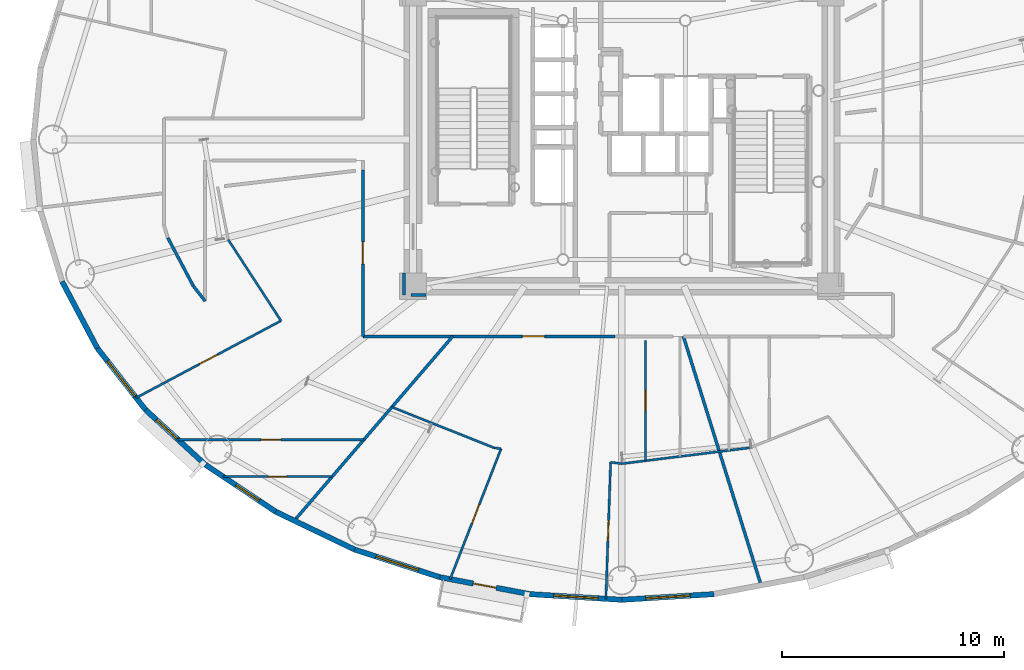
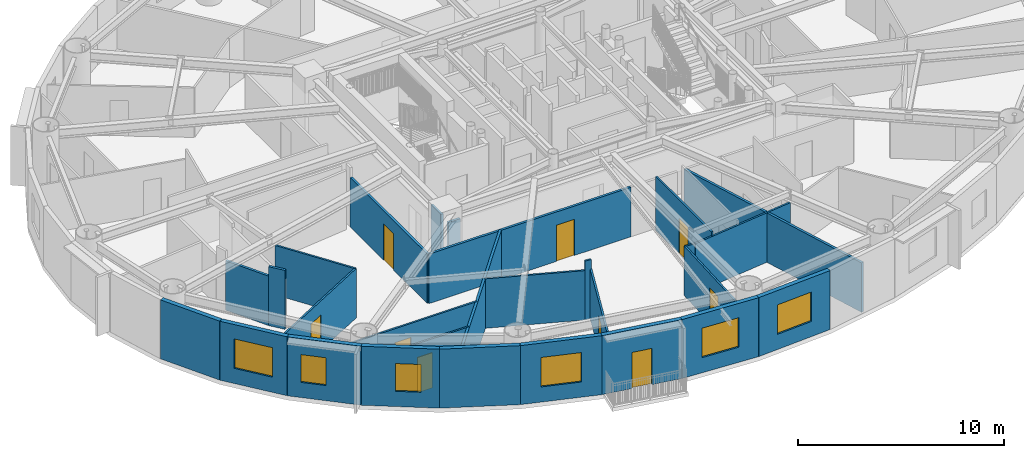
# One storey, part 8 of 19: 28 walls, 9 doors, 6 windows, 15 openings.
"""IFC4 building model written with IfcOpenShell, lengths in metres."""

from ifc_helpers import new_model, si_unit, direction, frame, frame_2d, origin, origin_2d, place, context, subcontext, project, spatial, rectangle, extrude, source, transform, mapped, material, layer, layer_set, type_object, element, fill, save


model = new_model("IFC4")

# Units and contexts
model_context = context("Model", 3, precision=1e-05, world=origin(), true_north=direction((0.0, 1.0)))
body_context = subcontext(model_context, "Body", "Model", "MODEL_VIEW")
ifc_project = project(units=[si_unit("LENGTHUNIT", "METRE"), si_unit("AREAUNIT", "SQUARE_METRE"), si_unit("VOLUMEUNIT", "CUBIC_METRE"), si_unit("PLANEANGLEUNIT", "RADIAN"), si_unit("MASSUNIT", "GRAM", prefix="KILO")], contexts=[model_context])

# Site, building, storey
site_placement = place(None, origin())
site = spatial("IfcSite", under=ifc_project, at=site_placement, CompositionType="ELEMENT")
building_placement = place(site_placement, origin())
building = spatial("IfcBuilding", under=site, at=building_placement, Name="Linh Dai School and Residence Tower", CompositionType="ELEMENT")
storey_placement = place(building_placement, frame((0.0, 0.0, 174.89990234375)))
storey = spatial("IfcBuildingStorey", under=building, at=storey_placement, Name="L42", CompositionType="ELEMENT", Elevation=174.89990234375)

# Wall
ifc_material_1 = material(Name="Precast Concrete B45 (C35/45)", Category="concrete")
ifc_layer_1 = layer(ifc_material_1, 0.239990234375)
ifc_layer_set_1 = layer_set([ifc_layer_1], Name="Precast Concrete B45 (C35/45)")
wall_type_1 = type_object("IfcWallType", Name="EW-TC-240", PredefinedType="SOLIDWALL", material=ifc_layer_set_1)
wall_1_placement = place(storey_placement, frame((12.404052734375, 17.611572265625, 0.0), z_axis=(0.0, 0.0, 1.0), x_axis=(-0.467586874938, 0.88394712194, 0.0)))
element("IfcWall", 1, at=wall_1_placement, inside=storey, type_object=wall_type_1, Name="L42 Terracotta Exterior Wall 23", PredefinedType="SOLIDWALL", context=body_context, shape_type="SweptSolid", body=[
    extrude(rectangle(XDim=3.393310546875, YDim=0.239990234375, at=frame_2d((1.69677734375, 0.0))), origin(), (0.0, 0.0, 1.0), 3.5),
])

# Wall, opening, window
wall_2_placement = place(storey_placement, frame((14.57177734375, 14.841552734375, 0.0), z_axis=(0.0, 0.0, 1.0), x_axis=(-0.616287674549, 0.787521112224, 0.0)))
wall_2 = element("IfcWall", 2, at=wall_2_placement, inside=storey, type_object=wall_type_1, Name="L42 Terracotta Exterior Wall 24", PredefinedType="SOLIDWALL", context=body_context, shape_type="SweptSolid", body=[
    extrude(rectangle(XDim=3.517333984375, YDim=0.239990234375, at=frame_2d((1.7587890625, 0.0))), origin(), (0.0, 0.0, 1.0), 3.5),
])
opening_1_placement = place(wall_2_placement, frame((0.77880859375, 0.0, 0.89990234375)))
opening_1 = element("IfcOpeningElement", 3, at=opening_1_placement, cuts=wall_2, Name="Opening W1", PredefinedType="OPENING", context=body_context, shape_type="SweptSolid", body=[
    extrude(rectangle(XDim=2.0, YDim=1.75, at=origin_2d()), frame((1.0, 0.1298828125, 0.875), z_axis=(0.0, -1.0, 0.0), x_axis=(1.0, 0.0, 0.0)), (0.0, 0.0, 1.0), 0.260009765625),
])
ifc_material_2 = material(Name="Double Low-E Insulated Glazing", Category="glass")
window_type_1 = type_object("IfcWindowType", Name="WN-RES-2000x1750", PartitioningType="DOUBLE_PANEL_VERTICAL", PredefinedType="WINDOW", material=ifc_material_2)
shared_shape_1 = source(origin(), body_context, "Body", "SweptSolid", [
    extrude(rectangle(XDim=2.0, YDim=1.75, at=origin_2d()), frame((1.0, 0.030029296875, 0.875), z_axis=(0.0, -1.0, 0.0), x_axis=(1.0, 0.0, 0.0)), (0.0, 0.0, 1.0), 0.06005859375),
])
window_1_placement = place(opening_1_placement, origin())
window_1 = element("IfcWindow", 4, at=window_1_placement, inside=storey, type_object=window_type_1, Name="L42 Exterior Window 24.1", OverallHeight=1.75, OverallWidth=2.0, PartitioningType="DOUBLE_PANEL_VERTICAL", PredefinedType="WINDOW", context=body_context, shape_type="MappedRepresentation", body=[
    mapped(shared_shape_1, transform((0.0, 0.0, 0.0), x_axis=(1.0, 0.0, 0.0), y_axis=(0.0, 1.0, 0.0), z_axis=(0.0, 0.0, 1.0), scale=1.0)),
])
fill(opening_1, window_1)

wall_3_placement = place(storey_placement, frame((17.26806640625, 12.369384765625, 0.0), z_axis=(0.0, 0.0, 1.0), x_axis=(-0.737076565834, 0.675809245349, 0.0)))
wall_3 = element("IfcWall", 5, at=wall_3_placement, inside=storey, type_object=wall_type_1, Name="L42 Terracotta Exterior Wall 25", PredefinedType="SOLIDWALL", context=body_context, shape_type="SweptSolid", body=[
    extrude(rectangle(XDim=3.658203125, YDim=0.239990234375, at=frame_2d((1.8291015625, 0.0))), origin(), (0.0, 0.0, 1.0), 3.5),
])
opening_2_placement = place(wall_3_placement, frame((1.74609375, 0.0, 0.89990234375)))
opening_2 = element("IfcOpeningElement", 6, at=opening_2_placement, cuts=wall_3, Name="Opening W3", PredefinedType="OPENING", context=body_context, shape_type="SweptSolid", body=[
    extrude(rectangle(XDim=1.25, YDim=1.64990234375, at=origin_2d()), frame((0.625, 0.1298828125, 0.824951171875), z_axis=(0.0, -1.0, 0.0), x_axis=(1.0, 0.0, 0.0)), (0.0, 0.0, 1.0), 0.260009765625),
])
window_type_2 = type_object("IfcWindowType", Name="WN-RES-1250x1650", PartitioningType="SINGLE_PANEL", PredefinedType="WINDOW", material=ifc_material_2)
shared_shape_2 = source(origin(), body_context, "Body", "SweptSolid", [
    extrude(rectangle(XDim=1.25, YDim=1.64990234375, at=origin_2d()), frame((0.625, 0.030029296875, 0.824951171875), z_axis=(0.0, -1.0, 0.0), x_axis=(1.0, 0.0, 0.0)), (0.0, 0.0, 1.0), 0.06005859375),
])
window_2_placement = place(opening_2_placement, origin())
window_2 = element("IfcWindow", 7, at=window_2_placement, inside=storey, type_object=window_type_2, Name="L42 Dwelling Window U4204-LIV", OverallHeight=1.64990234375, OverallWidth=1.25, PartitioningType="SINGLE_PANEL", PredefinedType="WINDOW", context=body_context, shape_type="MappedRepresentation", body=[
    mapped(shared_shape_2, transform((0.0, 0.0, 0.0), x_axis=(1.0, 0.0, 0.0), y_axis=(0.0, 1.0, 0.0), z_axis=(0.0, 0.0, 1.0), scale=1.0)),
])
fill(opening_2, window_2)

wall_4_placement = place(storey_placement, frame((20.4267578125, 10.2568359375, 0.0), z_axis=(0.0, 0.0, 1.0), x_axis=(-0.831228998277, 0.555930168657, 0.0)))
wall_4 = element("IfcWall", 8, at=wall_4_placement, inside=storey, type_object=wall_type_1, Name="L42 Terracotta Exterior Wall 26", PredefinedType="SOLIDWALL", context=body_context, shape_type="SweptSolid", body=[
    extrude(rectangle(XDim=3.800048828125, YDim=0.239990234375, at=frame_2d((1.89990234375, 0.0))), origin(), (0.0, 0.0, 1.0), 3.5),
])
opening_3_placement = place(wall_4_placement, frame((0.896240234375, 0.0, 0.89990234375)))
opening_3 = element("IfcOpeningElement", 9, at=opening_3_placement, cuts=wall_4, Name="Opening W3", PredefinedType="OPENING", context=body_context, shape_type="SweptSolid", body=[
    extrude(rectangle(XDim=1.25, YDim=1.64990234375, at=origin_2d()), frame((0.625, 0.1298828125, 0.824951171875), z_axis=(0.0, -1.0, 0.0), x_axis=(1.0, 0.0, 0.0)), (0.0, 0.0, 1.0), 0.260009765625),
])
window_3_placement = place(opening_3_placement, origin())
window_3 = element("IfcWindow", 10, at=window_3_placement, inside=storey, type_object=window_type_2, Name="L42 Exterior Window 26.1", OverallHeight=1.64990234375, OverallWidth=1.25, PartitioningType="SINGLE_PANEL", PredefinedType="WINDOW", context=body_context, shape_type="MappedRepresentation", body=[
    mapped(shared_shape_2, transform((0.0, 0.0, 0.0), x_axis=(1.0, 0.0, 0.0), y_axis=(0.0, 1.0, 0.0), z_axis=(0.0, 0.0, 1.0), scale=1.0)),
])
fill(opening_3, window_3)

# Wall
wall_5_placement = place(storey_placement, frame((23.97021484375, 8.556396484375, 0.0), z_axis=(0.0, 0.0, 1.0), x_axis=(-0.901564733809, 0.432644231155, 0.0)))
element("IfcWall", 11, at=wall_5_placement, inside=storey, type_object=wall_type_1, Name="L42 Terracotta Exterior Wall 27", PredefinedType="SOLIDWALL", context=body_context, shape_type="SweptSolid", body=[
    extrude(rectangle(XDim=3.930419921875, YDim=0.239990234375, at=frame_2d((1.96533203125, 0.0))), origin(), (0.0, 0.0, 1.0), 3.5),
])

# Wall, opening, window
wall_6_placement = place(storey_placement, frame((27.81103515625, 7.310546875, 0.0), z_axis=(0.0, 0.0, 1.0), x_axis=(-0.951209870236, 0.30854462038, 0.0)))
wall_6 = element("IfcWall", 12, at=wall_6_placement, inside=storey, type_object=wall_type_1, Name="L42 Terracotta Exterior Wall 28", PredefinedType="SOLIDWALL", context=body_context, shape_type="SweptSolid", body=[
    extrude(rectangle(XDim=4.037841796875, YDim=0.239990234375, at=frame_2d((2.01904296875, 0.0))), origin(), (0.0, 0.0, 1.0), 3.5),
])
opening_4_placement = place(wall_6_placement, frame((1.018798828125, 0.0, 0.89990234375)))
opening_4 = element("IfcOpeningElement", 13, at=opening_4_placement, cuts=wall_6, Name="Opening W1", PredefinedType="OPENING", context=body_context, shape_type="SweptSolid", body=[
    extrude(rectangle(XDim=2.0, YDim=1.75, at=origin_2d()), frame((1.0, 0.1298828125, 0.875), z_axis=(0.0, -1.0, 0.0), x_axis=(1.0, 0.0, 0.0)), (0.0, 0.0, 1.0), 0.260009765625),
])
window_4_placement = place(opening_4_placement, origin())
window_4 = element("IfcWindow", 14, at=window_4_placement, inside=storey, type_object=window_type_1, Name="L42 Exterior Window 28.1", OverallHeight=1.75, OverallWidth=2.0, PartitioningType="DOUBLE_PANEL_VERTICAL", PredefinedType="WINDOW", context=body_context, shape_type="MappedRepresentation", body=[
    mapped(shared_shape_1, transform((0.0, 0.0, 0.0), x_axis=(1.0, 0.0, 0.0), y_axis=(0.0, 1.0, 0.0), z_axis=(0.0, 0.0, 1.0), scale=1.0)),
])
fill(opening_4, window_4)

# Wall, opening, door
wall_7_placement = place(storey_placement, frame((31.854248046875, 6.550537109375, 0.0), z_axis=(0.0, 0.0, 1.0), x_axis=(-0.982788108205, 0.184736391573, 0.0)))
wall_7 = element("IfcWall", 15, at=wall_7_placement, inside=storey, type_object=wall_type_1, Name="L42 Terracotta Exterior Wall 29", PredefinedType="SOLIDWALL", context=body_context, shape_type="SweptSolid", body=[
    extrude(rectangle(XDim=4.114013671875, YDim=0.239990234375, at=frame_2d((2.05712890625, 0.0))), origin(), (0.0, 0.0, 1.0), 3.5),
])
opening_5_placement = place(wall_7_placement, frame((1.531982421875, 0.0, 0.0)))
opening_5 = element("IfcOpeningElement", 16, at=opening_5_placement, cuts=wall_7, Name="Opening BD1", PredefinedType="OPENING", context=body_context, shape_type="SweptSolid", body=[
    extrude(rectangle(XDim=1.050048828125, YDim=2.14990234375, at=origin_2d()), frame((0.52490234375, 0.1298828125, 1.074951171875), z_axis=(0.0, -1.0, 0.0), x_axis=(1.0, 0.0, 0.0)), (0.0, 0.0, 1.0), 0.260009765625),
])
ifc_material_3 = material(Name="Double-Glazed Balcony Door", Category="glass")
door_type_1 = type_object("IfcDoorType", Name="DR-BALC-1050x2150", OperationType="NOTDEFINED", PredefinedType="DOOR", material=ifc_material_3)
shared_shape_3 = source(origin(), body_context, "Body", "SweptSolid", [
    extrude(rectangle(XDim=1.050048828125, YDim=2.14990234375, at=origin_2d()), frame((0.52490234375, 0.02490234375, 1.074951171875), z_axis=(0.0, -1.0, 0.0), x_axis=(1.0, 0.0, 0.0)), (0.0, 0.0, 1.0), 0.050048828125),
])
door_1_placement = place(opening_5_placement, origin())
door_1 = element("IfcDoor", 17, at=door_1_placement, inside=storey, type_object=door_type_1, Name="L42 Glazed Balcony Door 29", OperationType="SINGLE_SWING_RIGHT", OverallHeight=2.14990234375, OverallWidth=1.050048828125, PredefinedType="DOOR", context=body_context, shape_type="MappedRepresentation", body=[
    mapped(shared_shape_3, transform((0.0, 0.0, 0.0), x_axis=(1.0, 0.0, 0.0), y_axis=(0.0, 1.0, 0.0), z_axis=(0.0, 0.0, 1.0), scale=1.0)),
])
fill(opening_5, door_1)

# Wall, opening, window
wall_8_placement = place(storey_placement, frame((36.0, 6.294921875, 0.0), z_axis=(0.0, 0.0, 1.0), x_axis=(-0.998104600619, 0.061540281305, 0.0)))
wall_8 = element("IfcWall", 18, at=wall_8_placement, inside=storey, type_object=wall_type_1, Name="L42 Terracotta Exterior Wall 30", PredefinedType="SOLIDWALL", context=body_context, shape_type="SweptSolid", body=[
    extrude(rectangle(XDim=4.153564453125, YDim=0.239990234375, at=frame_2d((2.07666015625, 0.0))), origin(), (0.0, 0.0, 1.0), 3.5),
])
opening_6_placement = place(wall_8_placement, frame((1.076904296875, 0.0, 0.89990234375)))
opening_6 = element("IfcOpeningElement", 19, at=opening_6_placement, cuts=wall_8, Name="Opening W1", PredefinedType="OPENING", context=body_context, shape_type="SweptSolid", body=[
    extrude(rectangle(XDim=2.0, YDim=1.75, at=origin_2d()), frame((1.0, 0.1298828125, 0.875), z_axis=(0.0, -1.0, 0.0), x_axis=(1.0, 0.0, 0.0)), (0.0, 0.0, 1.0), 0.260009765625),
])
window_5_placement = place(opening_6_placement, origin())
window_5 = element("IfcWindow", 20, at=window_5_placement, inside=storey, type_object=window_type_1, Name="L42 Exterior Window 30.1", OverallHeight=1.75, OverallWidth=2.0, PartitioningType="DOUBLE_PANEL_VERTICAL", PredefinedType="WINDOW", context=body_context, shape_type="MappedRepresentation", body=[
    mapped(shared_shape_1, transform((0.0, 0.0, 0.0), x_axis=(1.0, 0.0, 0.0), y_axis=(0.0, 1.0, 0.0), z_axis=(0.0, 0.0, 1.0), scale=1.0)),
])
fill(opening_6, window_5)

wall_9_placement = place(storey_placement, frame((40.145751953125, 6.550537109375, 0.0), z_axis=(0.0, 0.0, 1.0), x_axis=(-0.998104600619, -0.061540281305, 0.0)))
wall_9 = element("IfcWall", 21, at=wall_9_placement, inside=storey, type_object=wall_type_1, Name="L42 Terracotta Exterior Wall 31", PredefinedType="SOLIDWALL", context=body_context, shape_type="SweptSolid", body=[
    extrude(rectangle(XDim=4.153564453125, YDim=0.239990234375, at=frame_2d((2.07666015625, 0.0))), origin(), (0.0, 0.0, 1.0), 3.5),
])
opening_7_placement = place(wall_9_placement, frame((1.076904296875, 0.0, 0.89990234375)))
opening_7 = element("IfcOpeningElement", 22, at=opening_7_placement, cuts=wall_9, Name="Opening W1", PredefinedType="OPENING", context=body_context, shape_type="SweptSolid", body=[
    extrude(rectangle(XDim=2.0, YDim=1.75, at=origin_2d()), frame((1.0, 0.1298828125, 0.875), z_axis=(0.0, -1.0, 0.0), x_axis=(1.0, 0.0, 0.0)), (0.0, 0.0, 1.0), 0.260009765625),
])
window_6_placement = place(opening_7_placement, origin())
window_6 = element("IfcWindow", 23, at=window_6_placement, inside=storey, type_object=window_type_1, Name="L42 Exterior Window 31.1", OverallHeight=1.75, OverallWidth=2.0, PartitioningType="DOUBLE_PANEL_VERTICAL", PredefinedType="WINDOW", context=body_context, shape_type="MappedRepresentation", body=[
    mapped(shared_shape_1, transform((0.0, 0.0, 0.0), x_axis=(1.0, 0.0, 0.0), y_axis=(0.0, 1.0, 0.0), z_axis=(0.0, 0.0, 1.0), scale=1.0)),
])
fill(opening_7, window_6)

# Walls
ifc_material_4 = material(Name="Autoclaved Aerated Concrete Blockwork", Category="masonry")
ifc_layer_2 = layer(ifc_material_4, 0.135009765625)
ifc_layer_set_2 = layer_set([ifc_layer_2], Name="Autoclaved Aerated Concrete Blockwork")
wall_type_2 = type_object("IfcWallType", Name="IW-CORR-135-EI90", PredefinedType="PARTITIONING", material=ifc_layer_set_2)
wall_10_placement = place(storey_placement, frame((15.57421875, 22.577880859375, 0.0), z_axis=(0.0, 0.0, 1.0), x_axis=(0.46757196543, -0.883955008552, 0.0)))
element("IfcWall", 24, at=wall_10_placement, inside=storey, type_object=wall_type_2, Name="L42 Interior Partition Wall 010", PredefinedType="PARTITIONING", context=body_context, shape_type="SweptSolid", body=[
    extrude(rectangle(XDim=2.451416015625, YDim=0.135009765625, at=frame_2d((1.2255859375, 0.0))), origin(), (0.0, 0.0, 1.0), 2.93505859375),
])
wall_11_placement = place(storey_placement, frame((16.720458984375, 20.410888671875, 0.0), z_axis=(0.0, 0.0, 1.0), x_axis=(0.616377221056, -0.787451027914, 0.0)))
element("IfcWall", 25, at=wall_11_placement, inside=storey, type_object=wall_type_2, Name="L42 Interior Partition Wall 012", PredefinedType="PARTITIONING", context=body_context, shape_type="SweptSolid", body=[
    extrude(rectangle(XDim=0.859130859375, YDim=0.135009765625, at=frame_2d((0.4296875, 0.0))), origin(), (0.0, 0.0, 1.0), 3.5),
])
wall_12_placement = place(storey_placement, frame((21.2587890625, 9.85205078125, 0.0), z_axis=(0.0, 0.0, 1.0), x_axis=(0.651889454341, 0.758314011026, 0.0)))
element("IfcWall", 26, at=wall_12_placement, inside=storey, type_object=wall_type_2, Name="L42 Interior Partition Wall 018", PredefinedType="PARTITIONING", context=body_context, shape_type="SweptSolid", body=[
    extrude(rectangle(XDim=10.9423828125, YDim=0.135009765625, at=frame_2d((5.47119140625, 0.0))), origin(), (0.0, 0.0, 1.0), 2.93505859375),
])

# Wall, opening, door
wall_13_placement = place(storey_placement, frame((24.35009765625, 18.14990234375, 0.0), z_axis=(0.0, 0.0, 1.0), x_axis=(0.0, 1.0, 0.0)))
wall_13 = element("IfcWall", 27, at=wall_13_placement, inside=storey, type_object=wall_type_2, Name="L42 Interior Partition Wall 021", PredefinedType="PARTITIONING", context=body_context, shape_type="SweptSolid", body=[
    extrude(rectangle(XDim=7.48486328125, YDim=0.135009765625, at=frame_2d((3.742431640625, 0.0))), origin(), (0.0, 0.0, 1.0), 2.93505859375),
])
opening_8_placement = place(wall_13_placement, frame((3.2421875, 0.0, 0.0)))
opening_8 = element("IfcOpeningElement", 28, at=opening_8_placement, cuts=wall_13, Name="Opening D03", PredefinedType="OPENING", context=body_context, shape_type="SweptSolid", body=[
    extrude(rectangle(XDim=1.0, YDim=2.14990234375, at=origin_2d()), frame((0.5, 0.07763671875, 1.074951171875), z_axis=(0.0, -1.0, 0.0), x_axis=(1.0, 0.0, 0.0)), (0.0, 0.0, 1.0), 0.155029296875),
])
ifc_material_5 = material(Name="Fire-Rated Solid Timber Entrance Door", Category="wood")
door_type_2 = type_object("IfcDoorType", Name="DR-FLAT-1000x2150-FD60S", OperationType="NOTDEFINED", PredefinedType="DOOR", material=ifc_material_5)
shared_shape_4 = source(origin(), body_context, "Body", "SweptSolid", [
    extrude(rectangle(XDim=1.0, YDim=2.14990234375, at=origin_2d()), frame((0.5, 0.02490234375, 1.074951171875), z_axis=(0.0, -1.0, 0.0), x_axis=(1.0, 0.0, 0.0)), (0.0, 0.0, 1.0), 0.050048828125),
])
door_2_placement = place(opening_8_placement, origin())
door_2 = element("IfcDoor", 29, at=door_2_placement, inside=storey, type_object=door_type_2, Name="L42 U4204 Apartment Entrance Door", OperationType="SINGLE_SWING_RIGHT", OverallHeight=2.14990234375, OverallWidth=1.0, PredefinedType="DOOR", context=body_context, shape_type="MappedRepresentation", body=[
    mapped(shared_shape_4, transform((0.0, 0.0, 0.0), x_axis=(1.0, 0.0, 0.0), y_axis=(0.0, 1.0, 0.0), z_axis=(0.0, 0.0, 1.0), scale=1.0)),
])
fill(opening_8, door_2)

wall_14_placement = place(storey_placement, frame((24.35009765625, 18.14990234375, 0.0), z_axis=(0.0, 0.0, 1.0), x_axis=(1.0, 0.0, 0.0)))
wall_14 = element("IfcWall", 30, at=wall_14_placement, inside=storey, type_object=wall_type_2, Name="L42 Interior Partition Wall 022", PredefinedType="PARTITIONING", context=body_context, shape_type="SweptSolid", body=[
    extrude(rectangle(XDim=11.3408203125, YDim=0.135009765625, at=frame_2d((5.67041015625, 0.0))), origin(), (0.0, 0.0, 1.0), 2.93505859375),
])
opening_9_placement = place(wall_14_placement, frame((7.17138671875, 0.0, 0.0)))
opening_9 = element("IfcOpeningElement", 31, at=opening_9_placement, cuts=wall_14, Name="Opening D03", PredefinedType="OPENING", context=body_context, shape_type="SweptSolid", body=[
    extrude(rectangle(XDim=1.0, YDim=2.14990234375, at=origin_2d()), frame((0.5, 0.07763671875, 1.074951171875), z_axis=(0.0, -1.0, 0.0), x_axis=(1.0, 0.0, 0.0)), (0.0, 0.0, 1.0), 0.155029296875),
])
door_3_placement = place(opening_9_placement, origin())
door_3 = element("IfcDoor", 32, at=door_3_placement, inside=storey, type_object=door_type_2, Name="L42 U4205 Apartment Entrance Door", OperationType="SINGLE_SWING_RIGHT", OverallHeight=2.14990234375, OverallWidth=1.0, PredefinedType="DOOR", context=body_context, shape_type="MappedRepresentation", body=[
    mapped(shared_shape_4, transform((0.0, 0.0, 0.0), x_axis=(1.0, 0.0, 0.0), y_axis=(0.0, 1.0, 0.0), z_axis=(0.0, 0.0, 1.0), scale=1.0)),
])
fill(opening_9, door_3)

# Walls
wall_15_placement = place(storey_placement, frame((38.763671875, 18.14990234375, 0.0), z_axis=(0.0, 0.0, 1.0), x_axis=(0.298084348379, -0.954539533624, 0.0)))
element("IfcWall", 33, at=wall_15_placement, inside=storey, type_object=wall_type_2, Name="L42 Interior Partition Wall 064", PredefinedType="PARTITIONING", context=body_context, shape_type="SweptSolid", body=[
    extrude(rectangle(XDim=11.739990234375, YDim=0.135009765625, at=frame_2d((5.8701171875, 0.0))), origin(), (0.0, 0.0, 1.0), 2.93505859375),
])
wall_16_placement = place(storey_placement, frame((26.199951171875, 20.989990234375, 0.0), z_axis=(0.0, 0.0, 1.0), x_axis=(0.0, -1.0, 0.0)))
element("IfcWall", 34, at=wall_16_placement, inside=storey, type_object=wall_type_2, Name="L42 Interior Partition Wall 110", PredefinedType="PARTITIONING", context=body_context, shape_type="SweptSolid", body=[
    extrude(rectangle(XDim=0.989990234375, YDim=0.135009765625, at=frame_2d((0.4951171875, 0.0))), origin(), (0.0, 0.0, 1.0), 3.5),
])
wall_17_placement = place(storey_placement, frame((26.507568359375, 20.0, 0.0), z_axis=(0.0, 0.0, 1.0), x_axis=(1.0, 0.0, 0.0)))
element("IfcWall", 35, at=wall_17_placement, inside=storey, type_object=wall_type_2, Name="L42 Interior Partition Wall 111", PredefinedType="PARTITIONING", context=body_context, shape_type="SweptSolid", body=[
    extrude(rectangle(XDim=0.682373046875, YDim=0.135009765625, at=frame_2d((0.34130859375, 0.0))), origin(), (0.0, 0.0, 1.0), 2.93505859375),
])

# Wall, opening, door
ifc_material_6 = material(Name="Gypsum Plasterboard Acoustic Stud Partition", Category="masonry")
ifc_layer_3 = layer(ifc_material_6, 0.10009765625)
ifc_layer_set_3 = layer_set([ifc_layer_3], Name="Gypsum Plasterboard Acoustic Stud Partition")
wall_type_3 = type_object("IfcWallType", Name="IW-UNIT-100", PredefinedType="PARTITIONING", material=ifc_layer_set_3)
wall_18_placement = place(storey_placement, frame((14.14453125, 15.379150390625, 0.0), z_axis=(0.0, 0.0, 1.0), x_axis=(0.882946160832, 0.469474256027, 0.0)))
wall_18 = element("IfcWall", 36, at=wall_18_placement, inside=storey, type_object=wall_type_3, Name="L42 Interior Partition Wall 004", PredefinedType="PARTITIONING", context=body_context, shape_type="SweptSolid", body=[
    extrude(rectangle(XDim=7.385009765625, YDim=0.10009765625, at=frame_2d((3.6923828125, 0.0))), origin(), (0.0, 0.0, 1.0), 2.93505859375),
])
opening_10_placement = place(wall_18_placement, frame((3.242431640625, 0.0, 0.0)))
opening_10 = element("IfcOpeningElement", 37, at=opening_10_placement, cuts=wall_18, Name="Opening D05", PredefinedType="OPENING", context=body_context, shape_type="SweptSolid", body=[
    extrude(rectangle(XDim=0.89990234375, YDim=2.10009765625, at=origin_2d()), frame((0.449951171875, 0.06005859375, 1.050048828125), z_axis=(0.0, -1.0, 0.0), x_axis=(1.0, 0.0, 0.0)), (0.0, 0.0, 1.0), 0.1201171875),
])
ifc_material_7 = material(Name="Engineered Timber Internal Door", Category="wood")
door_type_3 = type_object("IfcDoorType", Name="DR-INT-900x2100", OperationType="NOTDEFINED", PredefinedType="DOOR", material=ifc_material_7)
shared_shape_5 = source(origin(), body_context, "Body", "SweptSolid", [
    extrude(rectangle(XDim=0.89990234375, YDim=2.10009765625, at=origin_2d()), frame((0.449951171875, 0.02490234375, 1.050048828125), z_axis=(0.0, -1.0, 0.0), x_axis=(1.0, 0.0, 0.0)), (0.0, 0.0, 1.0), 0.050048828125),
])
door_4_placement = place(opening_10_placement, origin())
door_4 = element("IfcDoor", 38, at=door_4_placement, inside=storey, type_object=door_type_3, Name="L42 Apartment U4204 Principal Bedroom 1 Door", OperationType="SINGLE_SWING_LEFT", OverallHeight=2.10009765625, OverallWidth=0.89990234375, PredefinedType="DOOR", context=body_context, shape_type="MappedRepresentation", body=[
    mapped(shared_shape_5, transform((0.0, 0.0, 0.0), x_axis=(1.0, 0.0, 0.0), y_axis=(0.0, 1.0, 0.0), z_axis=(0.0, 0.0, 1.0), scale=1.0)),
])
fill(opening_10, door_4)

wall_19_placement = place(storey_placement, frame((16.036865234375, 13.491455078125, 0.0), z_axis=(0.0, 0.0, 1.0), x_axis=(1.0, 0.0, 0.0)))
wall_19 = element("IfcWall", 39, at=wall_19_placement, inside=storey, type_object=wall_type_3, Name="L42 Interior Partition Wall 011", PredefinedType="PARTITIONING", context=body_context, shape_type="SweptSolid", body=[
    extrude(rectangle(XDim=8.350341796875, YDim=0.10009765625, at=frame_2d((4.17529296875, 0.0))), origin(), (0.0, 0.0, 1.0), 2.93505859375),
])
opening_11_placement = place(wall_19_placement, frame((3.725341796875, 0.0, 0.0)))
opening_11 = element("IfcOpeningElement", 40, at=opening_11_placement, cuts=wall_19, Name="Opening D05", PredefinedType="OPENING", context=body_context, shape_type="SweptSolid", body=[
    extrude(rectangle(XDim=0.89990234375, YDim=2.10009765625, at=origin_2d()), frame((0.449951171875, 0.06005859375, 1.050048828125), z_axis=(0.0, -1.0, 0.0), x_axis=(1.0, 0.0, 0.0)), (0.0, 0.0, 1.0), 0.1201171875),
])
door_5_placement = place(opening_11_placement, origin())
door_5 = element("IfcDoor", 41, at=door_5_placement, inside=storey, type_object=door_type_3, Name="L42 Apartment U4204 Kitchen Door", OperationType="SINGLE_SWING_RIGHT", OverallHeight=2.10009765625, OverallWidth=0.89990234375, PredefinedType="DOOR", context=body_context, shape_type="MappedRepresentation", body=[
    mapped(shared_shape_5, transform((0.0, 0.0, 0.0), x_axis=(1.0, 0.0, 0.0), y_axis=(0.0, 1.0, 0.0), z_axis=(0.0, 0.0, 1.0), scale=1.0)),
])
fill(opening_11, door_5)

wall_20_placement = place(storey_placement, frame((18.05712890625, 11.835693359375, 0.0), z_axis=(0.0, 0.0, 1.0), x_axis=(1.0, 0.0, 0.0)))
wall_20 = element("IfcWall", 42, at=wall_20_placement, inside=storey, type_object=wall_type_3, Name="L42 Interior Partition Wall 016", PredefinedType="PARTITIONING", context=body_context, shape_type="SweptSolid", body=[
    extrude(rectangle(XDim=4.90673828125, YDim=0.10009765625, at=frame_2d((2.453369140625, 0.0))), origin(), (0.0, 0.0, 1.0), 2.93505859375),
])
opening_12_placement = place(wall_20_placement, frame((2.043212890625, 0.0, 0.0)))
opening_12 = element("IfcOpeningElement", 43, at=opening_12_placement, cuts=wall_20, Name="Opening D06", PredefinedType="OPENING", context=body_context, shape_type="SweptSolid", body=[
    extrude(rectangle(XDim=0.820068359375, YDim=2.10009765625, at=origin_2d()), frame((0.41015625, 0.06005859375, 1.050048828125), z_axis=(0.0, -1.0, 0.0), x_axis=(1.0, 0.0, 0.0)), (0.0, 0.0, 1.0), 0.1201171875),
])
ifc_material_8 = material(Name="Moisture-Resistant Timber Bathroom Door", Category="wood")
door_type_4 = type_object("IfcDoorType", Name="DR-WET-820x2100", OperationType="NOTDEFINED", PredefinedType="DOOR", material=ifc_material_8)
shared_shape_6 = source(origin(), body_context, "Body", "SweptSolid", [
    extrude(rectangle(XDim=0.820068359375, YDim=2.10009765625, at=origin_2d()), frame((0.41015625, 0.02490234375, 1.050048828125), z_axis=(0.0, -1.0, 0.0), x_axis=(1.0, 0.0, 0.0)), (0.0, 0.0, 1.0), 0.050048828125),
])
door_6_placement = place(opening_12_placement, origin())
door_6 = element("IfcDoor", 44, at=door_6_placement, inside=storey, type_object=door_type_4, Name="L42 Apartment U4204 Bathroom 1 Door", OperationType="SINGLE_SWING_LEFT", OverallHeight=2.10009765625, OverallWidth=0.820068359375, PredefinedType="DOOR", context=body_context, shape_type="MappedRepresentation", body=[
    mapped(shared_shape_6, transform((0.0, 0.0, 0.0), x_axis=(1.0, 0.0, 0.0), y_axis=(0.0, 1.0, 0.0), z_axis=(0.0, 0.0, 1.0), scale=1.0)),
])
fill(opening_12, door_6)

# Walls
wall_21_placement = place(storey_placement, frame((18.291259765625, 22.494140625, 0.0), z_axis=(0.0, 0.0, 1.0), x_axis=(0.545410225271, -0.838169246734, 0.0)))
element("IfcWall", 45, at=wall_21_placement, inside=storey, type_object=wall_type_3, Name="L42 Interior Partition Wall 017", PredefinedType="PARTITIONING", context=body_context, shape_type="SweptSolid", body=[
    extrude(rectangle(XDim=4.352294921875, YDim=0.10009765625, at=frame_2d((2.17626953125, 0.0))), origin(), (0.0, 0.0, 1.0), 2.93505859375),
])
wall_22_placement = place(storey_placement, frame((25.654052734375, 14.96484375, 0.0), z_axis=(0.0, 0.0, 1.0), x_axis=(0.928793067963, -0.370598754589, 0.0)))
element("IfcWall", 46, at=wall_22_placement, inside=storey, type_object=wall_type_3, Name="L42 Interior Partition Wall 026", PredefinedType="PARTITIONING", context=body_context, shape_type="SweptSolid", body=[
    extrude(rectangle(XDim=4.944091796875, YDim=0.10009765625, at=frame_2d((2.47216796875, 0.0))), origin(), (0.0, 0.0, 1.0), 2.93505859375),
])

# Wall, opening, door
wall_23_placement = place(storey_placement, frame((28.27099609375, 7.218994140625, 0.0), z_axis=(0.0, 0.0, 1.0), x_axis=(0.363936593544, 0.931423725207, 0.0)))
wall_23 = element("IfcWall", 47, at=wall_23_placement, inside=storey, type_object=wall_type_3, Name="L42 Interior Partition Wall 028", PredefinedType="PARTITIONING", context=body_context, shape_type="SweptSolid", body=[
    extrude(rectangle(XDim=6.306396484375, YDim=0.10009765625, at=frame_2d((3.1533203125, 0.0))), origin(), (0.0, 0.0, 1.0), 2.93505859375),
])
opening_13_placement = place(wall_23_placement, frame((2.703125, 0.0, 0.0)))
opening_13 = element("IfcOpeningElement", 48, at=opening_13_placement, cuts=wall_23, Name="Opening D05", PredefinedType="OPENING", context=body_context, shape_type="SweptSolid", body=[
    extrude(rectangle(XDim=0.89990234375, YDim=2.10009765625, at=origin_2d()), frame((0.449951171875, 0.06005859375, 1.050048828125), z_axis=(0.0, -1.0, 0.0), x_axis=(1.0, 0.0, 0.0)), (0.0, 0.0, 1.0), 0.1201171875),
])
door_7_placement = place(opening_13_placement, origin())
door_7 = element("IfcDoor", 49, at=door_7_placement, inside=storey, type_object=door_type_3, Name="L42 Apartment U4205 Principal Bedroom 1 Door", OperationType="SINGLE_SWING_LEFT", OverallHeight=2.10009765625, OverallWidth=0.89990234375, PredefinedType="DOOR", context=body_context, shape_type="MappedRepresentation", body=[
    mapped(shared_shape_5, transform((0.0, 0.0, 0.0), x_axis=(1.0, 0.0, 0.0), y_axis=(0.0, 1.0, 0.0), z_axis=(0.0, 0.0, 1.0), scale=1.0)),
])
fill(opening_13, door_7)

# Wall
wall_24_placement = place(storey_placement, frame((30.24609375, 13.132568359375, 0.0), z_axis=(0.0, 0.0, 1.0), x_axis=(0.992451589144, -0.122637038475, 0.0)))
element("IfcWall", 50, at=wall_24_placement, inside=storey, type_object=wall_type_3, Name="L42 Interior Partition Wall 030", PredefinedType="PARTITIONING", context=body_context, shape_type="SweptSolid", body=[
    extrude(rectangle(XDim=0.322509765625, YDim=0.10009765625, at=frame_2d((0.1611328125, 0.0))), origin(), (0.0, 0.0, 1.0), 3.5),
])

# Wall, opening, door
wall_25_placement = place(storey_placement, frame((35.2783203125, 6.33447265625, 0.0), z_axis=(0.0, 0.0, 1.0), x_axis=(0.034887406989, 0.999391249128, 0.0)))
wall_25 = element("IfcWall", 51, at=wall_25_placement, inside=storey, type_object=wall_type_3, Name="L42 Interior Partition Wall 046", PredefinedType="PARTITIONING", context=body_context, shape_type="SweptSolid", body=[
    extrude(rectangle(XDim=6.151123046875, YDim=0.10009765625, at=frame_2d((3.07568359375, 0.0))), origin(), (0.0, 0.0, 1.0), 2.93505859375),
])
opening_14_placement = place(wall_25_placement, frame((2.62548828125, 0.0, 0.0)))
opening_14 = element("IfcOpeningElement", 52, at=opening_14_placement, cuts=wall_25, Name="Opening D05", PredefinedType="OPENING", context=body_context, shape_type="SweptSolid", body=[
    extrude(rectangle(XDim=0.89990234375, YDim=2.10009765625, at=origin_2d()), frame((0.449951171875, 0.06005859375, 1.050048828125), z_axis=(0.0, -1.0, 0.0), x_axis=(1.0, 0.0, 0.0)), (0.0, 0.0, 1.0), 0.1201171875),
])
door_8_placement = place(opening_14_placement, origin())
door_8 = element("IfcDoor", 53, at=door_8_placement, inside=storey, type_object=door_type_3, Name="L42 Apartment U4205 Bedroom 2 Door", OperationType="SINGLE_SWING_RIGHT", OverallHeight=2.10009765625, OverallWidth=0.89990234375, PredefinedType="DOOR", context=body_context, shape_type="MappedRepresentation", body=[
    mapped(shared_shape_5, transform((0.0, 0.0, 0.0), x_axis=(1.0, 0.0, 0.0), y_axis=(0.0, 1.0, 0.0), z_axis=(0.0, 0.0, 1.0), scale=1.0)),
])
fill(opening_14, door_8)

# Walls
wall_26_placement = place(storey_placement, frame((35.492919921875, 12.48193359375, 0.0), z_axis=(0.0, 0.0, 1.0), x_axis=(0.992373140554, -0.123270231229, 0.0)))
element("IfcWall", 54, at=wall_26_placement, inside=storey, type_object=wall_type_3, Name="L42 Interior Partition Wall 051", PredefinedType="PARTITIONING", context=body_context, shape_type="SweptSolid", body=[
    extrude(rectangle(XDim=0.510986328125, YDim=0.10009765625, at=frame_2d((0.25537109375, 0.0))), origin(), (0.0, 0.0, 1.0), 2.93505859375),
])
wall_27_placement = place(storey_placement, frame((36.0, 12.4189453125, 0.0), z_axis=(0.0, 0.0, 1.0), x_axis=(0.992396615981, 0.123081097612, 0.0)))
element("IfcWall", 55, at=wall_27_placement, inside=storey, type_object=wall_type_3, Name="L42 Interior Partition Wall 054", PredefinedType="PARTITIONING", context=body_context, shape_type="SweptSolid", body=[
    extrude(rectangle(XDim=5.798095703125, YDim=0.10009765625, at=frame_2d((2.89892578125, 0.0))), origin(), (0.0, 0.0, 1.0), 2.93505859375),
])

# Wall, opening, door
wall_28_placement = place(storey_placement, frame((37.060546875, 12.550537109375, 0.0), z_axis=(0.0, 0.0, 1.0), x_axis=(0.0, 1.0, 0.0)))
wall_28 = element("IfcWall", 56, at=wall_28_placement, inside=storey, type_object=wall_type_3, Name="L42 Interior Partition Wall 058", PredefinedType="PARTITIONING", context=body_context, shape_type="SweptSolid", body=[
    extrude(rectangle(XDim=5.415771484375, YDim=0.10009765625, at=frame_2d((2.7080078125, 0.0))), origin(), (0.0, 0.0, 1.0), 3.18505859375),
])
opening_15_placement = place(wall_28_placement, frame((2.2578125, 0.0, 0.0)))
opening_15 = element("IfcOpeningElement", 57, at=opening_15_placement, cuts=wall_28, Name="Opening D05", PredefinedType="OPENING", context=body_context, shape_type="SweptSolid", body=[
    extrude(rectangle(XDim=0.89990234375, YDim=2.10009765625, at=origin_2d()), frame((0.449951171875, 0.06005859375, 1.050048828125), z_axis=(0.0, -1.0, 0.0), x_axis=(1.0, 0.0, 0.0)), (0.0, 0.0, 1.0), 0.1201171875),
])
door_9_placement = place(opening_15_placement, origin())
door_9 = element("IfcDoor", 58, at=door_9_placement, inside=storey, type_object=door_type_3, Name="L42 Apartment U4205 Kitchen Door", OperationType="SINGLE_SWING_LEFT", OverallHeight=2.10009765625, OverallWidth=0.89990234375, PredefinedType="DOOR", context=body_context, shape_type="MappedRepresentation", body=[
    mapped(shared_shape_5, transform((0.0, 0.0, 0.0), x_axis=(1.0, 0.0, 0.0), y_axis=(0.0, 1.0, 0.0), z_axis=(0.0, 0.0, 1.0), scale=1.0)),
])
fill(opening_15, door_9)

save(model, "model.ifc")
